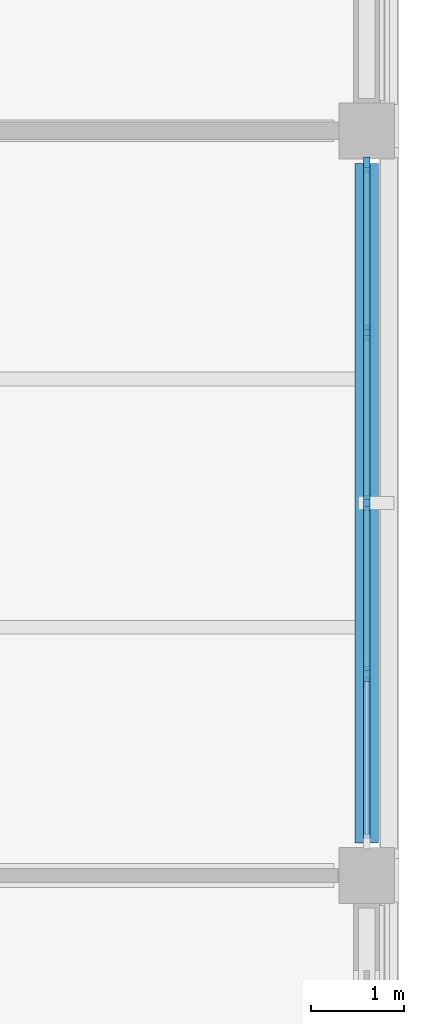
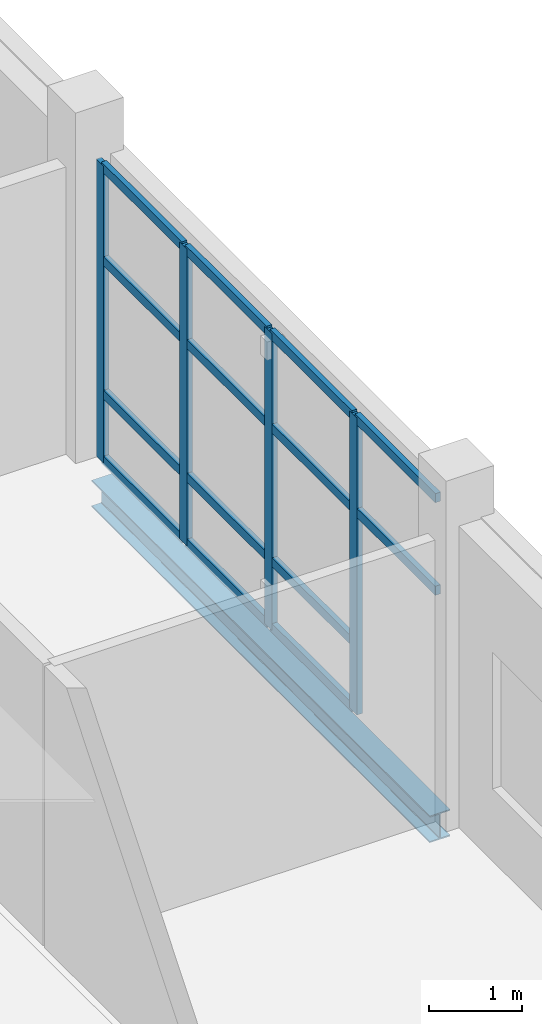
# One storey, part 52 of 121: 18 members, 1 beam, 1 element without a shape of its own.
"""IFC4 building model written with IfcOpenShell, lengths in metres."""

from ifc_helpers import new_model, si_unit, derived_unit, direction, frame, origin, origin_2d, place, context, subcontext, project, spatial, rectangle, i_section, extrude, material, layer, layer_set, material_profile, profile_set, type_object, element, aggregate, save


model = new_model("IFC4")

# Units and contexts
model_context = context("Model", 3, precision=1e-05, world=origin(), true_north=direction((0.0, 1.0)))
body_context = subcontext(model_context, "Body", "Model", "MODEL_VIEW")
ifc_project = project(units=[si_unit("LENGTHUNIT", "METRE"), si_unit("AREAUNIT", "SQUARE_METRE"), si_unit("VOLUMEUNIT", "CUBIC_METRE"), si_unit("PLANEANGLEUNIT", "RADIAN"), si_unit("MASSUNIT", "GRAM", prefix="KILO"), derived_unit("THERMALTRANSMITTANCEUNIT", [(si_unit("MASSUNIT", "GRAM", prefix="KILO"), 1), (si_unit("TIMEUNIT", "SECOND"), -3), (si_unit("THERMODYNAMICTEMPERATUREUNIT", "KELVIN"), -1)])], contexts=[model_context])

# Site, building, storey
site_placement = place(None, origin())
site = spatial("IfcSite", under=ifc_project, at=site_placement, CompositionType="ELEMENT")
building_placement = place(site_placement, origin())
building = spatial("IfcBuilding", under=site, at=building_placement, Name="Veyamyaing Civic Hall", CompositionType="ELEMENT")
storey_placement = place(building_placement, frame((0.0, 0.0, 5.280029296875)))
storey = spatial("IfcBuildingStorey", under=building, at=storey_placement, Name="L01", CompositionType="ELEMENT", Elevation=5.280029296875)

# Beam
ifc_material_1 = material(Name="Steel ASTM A992", Category="steel")
ifc_material_profile_1 = material_profile(ifc_material_1, i_section(OverallWidth=0.25390625, OverallDepth=0.35302734375, WebThickness=0.009521484375, FlangeThickness=0.016357421875, FilletRadius=0.011962890625, at=origin_2d()), Name="W360X91")
ifc_profile_set_1 = profile_set([ifc_material_profile_1], Name="Steel ASTM A992")
beam_type = type_object("IfcBeamType", Name="B-20", PredefinedType="SPANDREL", material=ifc_profile_set_1)
beam_placement = place(storey_placement, frame((176.0, 56.35009765625, -0.421630859375), z_axis=(0.0, 1.0, 0.0), x_axis=(-1.0, 0.0, 0.0)))
element("IfcBeam", 1, at=beam_placement, inside=storey, type_object=beam_type, Name="Girder B-20 L01 Grid 23 H-J", PredefinedType="SPANDREL", context=body_context, shape_type="SweptSolid", body=[
    extrude(i_section(OverallWidth=0.25390625, OverallDepth=0.35302734375, WebThickness=0.009521484375, FlangeThickness=0.016357421875, FilletRadius=0.011962890625, at=origin_2d()), origin(), (0.0, 0.0, 1.0), 7.2998046875),
])

# Curtain wall, members
ifc_material_2 = material(Name="Anodised aluminium 6063-T6", Category="aluminium")
ifc_layer = layer(ifc_material_2, 0.159912109375, Name="Anodised aluminium 6063-T6")
ifc_layer_set = layer_set([ifc_layer], Name="Anodised aluminium 6063-T6")
curtain_wall_type = type_object("IfcCurtainWallType", Name="CW-02", PredefinedType="NOTDEFINED", material=ifc_layer_set)
curtain_wall_placement = place(storey_placement, origin())
curtain_wall = element("IfcCurtainWall", 2, at=curtain_wall_placement, inside=storey, type_object=curtain_wall_type, Name="Unitized curtain wall CW-02 L01 E 22.8", PredefinedType="NOTDEFINED")
ifc_material_profile_2 = material_profile(ifc_material_2, rectangle(XDim=0.06494140625, YDim=0.159912109375, at=origin_2d()), Name="ALU-MUL-65X160")
ifc_profile_set_2 = profile_set([ifc_material_profile_2], Name="Anodised aluminium 6063-T6")
member_type_1 = type_object("IfcMemberType", Name="CWM-01", PredefinedType="MULLION", material=ifc_profile_set_2)
member_1_placement = place(storey_placement, frame((176.0, 58.1650390625, 0.0), z_axis=(0.0, 0.0, 1.0), x_axis=(-1.0, 0.0, 0.0)))
member_1 = element("IfcMember", 3, at=member_1_placement, type_object=member_type_1, Name="CW-02 mullion 2", PredefinedType="MULLION", context=body_context, shape_type="SweptSolid", body=[
    extrude(rectangle(XDim=0.06494140625, YDim=0.159912109375, at=origin_2d()), origin(), (0.0, 0.0, 1.0), 3.9140625),
])
member_2_placement = place(storey_placement, frame((176.0, 60.0, 0.0), z_axis=(0.0, 0.0, 1.0), x_axis=(-1.0, 0.0, 0.0)))
member_2 = element("IfcMember", 4, at=member_2_placement, type_object=member_type_1, Name="CW-02 mullion 3", PredefinedType="MULLION", context=body_context, shape_type="SweptSolid", body=[
    extrude(rectangle(XDim=0.06494140625, YDim=0.159912109375, at=origin_2d()), origin(), (0.0, 0.0, 1.0), 3.9140625),
])
member_3_placement = place(storey_placement, frame((176.0, 61.8349609375, 0.0), z_axis=(0.0, 0.0, 1.0), x_axis=(-1.0, 0.0, 0.0)))
member_3 = element("IfcMember", 5, at=member_3_placement, type_object=member_type_1, Name="CW-02 mullion 4", PredefinedType="MULLION", context=body_context, shape_type="SweptSolid", body=[
    extrude(rectangle(XDim=0.06494140625, YDim=0.159912109375, at=origin_2d()), origin(), (0.0, 0.0, 1.0), 3.9140625),
])
member_4_placement = place(storey_placement, frame((176.0, 63.637451171875, 0.0), z_axis=(0.0, 0.0, 1.0), x_axis=(-1.0, 0.0, 0.0)))
member_4 = element("IfcMember", 6, at=member_4_placement, type_object=member_type_1, Name="CW-02 mullion 5", PredefinedType="MULLION", context=body_context, shape_type="SweptSolid", body=[
    extrude(rectangle(XDim=0.06494140625, YDim=0.159912109375, at=origin_2d()), origin(), (0.0, 0.0, 1.0), 3.9140625),
])
ifc_material_profile_3 = material_profile(ifc_material_2, rectangle(XDim=0.06494140625, YDim=0.1201171875, at=origin_2d()), Name="ALU-TRN-65X120")
ifc_profile_set_3 = profile_set([ifc_material_profile_3], Name="Anodised aluminium 6063-T6")
member_type_2 = type_object("IfcMemberType", Name="CWT-01", PredefinedType="USERDEFINED", material=ifc_profile_set_3)
member_5_placement = place(storey_placement, frame((176.0, 56.39501953125, 2.661376953125), z_axis=(0.0, 1.0, 0.0), x_axis=(-1.0, 0.0, 0.0)))
member_5 = element("IfcMember", 7, at=member_5_placement, type_object=member_type_2, Name="CW-02 transom 1.3", ObjectType="TRANSOM", PredefinedType="USERDEFINED", context=body_context, shape_type="SweptSolid", body=[
    extrude(rectangle(XDim=0.06494140625, YDim=0.1201171875, at=origin_2d()), origin(), (0.0, 0.0, 1.0), 1.737548828125),
])
member_6_placement = place(storey_placement, frame((176.0, 56.39501953125, 3.881591796875), z_axis=(0.0, 1.0, 0.0), x_axis=(-1.0, 0.0, 0.0)))
member_6 = element("IfcMember", 8, at=member_6_placement, type_object=member_type_2, Name="CW-02 transom 1.4", ObjectType="TRANSOM", PredefinedType="USERDEFINED", context=body_context, shape_type="SweptSolid", body=[
    extrude(rectangle(XDim=0.06494140625, YDim=0.1201171875, at=origin_2d()), origin(), (0.0, 0.0, 1.0), 1.737548828125),
])
member_7_placement = place(storey_placement, frame((176.0, 58.197509765625, 0.032470703125), z_axis=(0.0, 1.0, 0.0), x_axis=(-1.0, 0.0, 0.0)))
member_7 = element("IfcMember", 9, at=member_7_placement, type_object=member_type_2, Name="CW-02 transom 2.1", ObjectType="TRANSOM", PredefinedType="USERDEFINED", context=body_context, shape_type="SweptSolid", body=[
    extrude(rectangle(XDim=0.06494140625, YDim=0.1201171875, at=origin_2d()), origin(), (0.0, 0.0, 1.0), 1.77001953125),
])
member_8_placement = place(storey_placement, frame((176.0, 58.197509765625, 0.89990234375), z_axis=(0.0, 1.0, 0.0), x_axis=(-1.0, 0.0, 0.0)))
member_8 = element("IfcMember", 10, at=member_8_placement, type_object=member_type_2, Name="CW-02 transom 2.2", ObjectType="TRANSOM", PredefinedType="USERDEFINED", context=body_context, shape_type="SweptSolid", body=[
    extrude(rectangle(XDim=0.06494140625, YDim=0.1201171875, at=origin_2d()), origin(), (0.0, 0.0, 1.0), 1.77001953125),
])
member_9_placement = place(storey_placement, frame((176.0, 58.197509765625, 2.661376953125), z_axis=(0.0, 1.0, 0.0), x_axis=(-1.0, 0.0, 0.0)))
member_9 = element("IfcMember", 11, at=member_9_placement, type_object=member_type_2, Name="CW-02 transom 2.3", ObjectType="TRANSOM", PredefinedType="USERDEFINED", context=body_context, shape_type="SweptSolid", body=[
    extrude(rectangle(XDim=0.06494140625, YDim=0.1201171875, at=origin_2d()), origin(), (0.0, 0.0, 1.0), 1.77001953125),
])
member_10_placement = place(storey_placement, frame((176.0, 58.197509765625, 3.881591796875), z_axis=(0.0, 1.0, 0.0), x_axis=(-1.0, 0.0, 0.0)))
member_10 = element("IfcMember", 12, at=member_10_placement, type_object=member_type_2, Name="CW-02 transom 2.4", ObjectType="TRANSOM", PredefinedType="USERDEFINED", context=body_context, shape_type="SweptSolid", body=[
    extrude(rectangle(XDim=0.06494140625, YDim=0.1201171875, at=origin_2d()), origin(), (0.0, 0.0, 1.0), 1.77001953125),
])
member_11_placement = place(storey_placement, frame((176.0, 60.032470703125, 0.032470703125), z_axis=(0.0, 1.0, 0.0), x_axis=(-1.0, 0.0, 0.0)))
member_11 = element("IfcMember", 13, at=member_11_placement, type_object=member_type_2, Name="CW-02 transom 3.1", ObjectType="TRANSOM", PredefinedType="USERDEFINED", context=body_context, shape_type="SweptSolid", body=[
    extrude(rectangle(XDim=0.06494140625, YDim=0.1201171875, at=origin_2d()), origin(), (0.0, 0.0, 1.0), 1.77001953125),
])
member_12_placement = place(storey_placement, frame((176.0, 60.032470703125, 0.89990234375), z_axis=(0.0, 1.0, 0.0), x_axis=(-1.0, 0.0, 0.0)))
member_12 = element("IfcMember", 14, at=member_12_placement, type_object=member_type_2, Name="CW-02 transom 3.2", ObjectType="TRANSOM", PredefinedType="USERDEFINED", context=body_context, shape_type="SweptSolid", body=[
    extrude(rectangle(XDim=0.06494140625, YDim=0.1201171875, at=origin_2d()), origin(), (0.0, 0.0, 1.0), 1.77001953125),
])
member_13_placement = place(storey_placement, frame((176.0, 60.032470703125, 2.661376953125), z_axis=(0.0, 1.0, 0.0), x_axis=(-1.0, 0.0, 0.0)))
member_13 = element("IfcMember", 15, at=member_13_placement, type_object=member_type_2, Name="CW-02 transom 3.3", ObjectType="TRANSOM", PredefinedType="USERDEFINED", context=body_context, shape_type="SweptSolid", body=[
    extrude(rectangle(XDim=0.06494140625, YDim=0.1201171875, at=origin_2d()), origin(), (0.0, 0.0, 1.0), 1.77001953125),
])
member_14_placement = place(storey_placement, frame((176.0, 60.032470703125, 3.881591796875), z_axis=(0.0, 1.0, 0.0), x_axis=(-1.0, 0.0, 0.0)))
member_14 = element("IfcMember", 16, at=member_14_placement, type_object=member_type_2, Name="CW-02 transom 3.4", ObjectType="TRANSOM", PredefinedType="USERDEFINED", context=body_context, shape_type="SweptSolid", body=[
    extrude(rectangle(XDim=0.06494140625, YDim=0.1201171875, at=origin_2d()), origin(), (0.0, 0.0, 1.0), 1.77001953125),
])
member_15_placement = place(storey_placement, frame((176.0, 61.867431640625, 0.032470703125), z_axis=(0.0, 1.0, 0.0), x_axis=(-1.0, 0.0, 0.0)))
member_15 = element("IfcMember", 17, at=member_15_placement, type_object=member_type_2, Name="CW-02 transom 4.1", ObjectType="TRANSOM", PredefinedType="USERDEFINED", context=body_context, shape_type="SweptSolid", body=[
    extrude(rectangle(XDim=0.06494140625, YDim=0.1201171875, at=origin_2d()), origin(), (0.0, 0.0, 1.0), 1.737548828125),
])
member_16_placement = place(storey_placement, frame((176.0, 61.867431640625, 0.89990234375), z_axis=(0.0, 1.0, 0.0), x_axis=(-1.0, 0.0, 0.0)))
member_16 = element("IfcMember", 18, at=member_16_placement, type_object=member_type_2, Name="CW-02 transom 4.2", ObjectType="TRANSOM", PredefinedType="USERDEFINED", context=body_context, shape_type="SweptSolid", body=[
    extrude(rectangle(XDim=0.06494140625, YDim=0.1201171875, at=origin_2d()), origin(), (0.0, 0.0, 1.0), 1.737548828125),
])
member_17_placement = place(storey_placement, frame((176.0, 61.867431640625, 2.661376953125), z_axis=(0.0, 1.0, 0.0), x_axis=(-1.0, 0.0, 0.0)))
member_17 = element("IfcMember", 19, at=member_17_placement, type_object=member_type_2, Name="CW-02 transom 4.3", ObjectType="TRANSOM", PredefinedType="USERDEFINED", context=body_context, shape_type="SweptSolid", body=[
    extrude(rectangle(XDim=0.06494140625, YDim=0.1201171875, at=origin_2d()), origin(), (0.0, 0.0, 1.0), 1.737548828125),
])
member_18_placement = place(storey_placement, frame((176.0, 61.867431640625, 3.881591796875), z_axis=(0.0, 1.0, 0.0), x_axis=(-1.0, 0.0, 0.0)))
member_18 = element("IfcMember", 20, at=member_18_placement, type_object=member_type_2, Name="CW-02 transom 4.4", ObjectType="TRANSOM", PredefinedType="USERDEFINED", context=body_context, shape_type="SweptSolid", body=[
    extrude(rectangle(XDim=0.06494140625, YDim=0.1201171875, at=origin_2d()), origin(), (0.0, 0.0, 1.0), 1.737548828125),
])
aggregate(curtain_wall, [member_1, member_2, member_3, member_4, member_5, member_6, member_7, member_8, member_9, member_10, member_11, member_12, member_13, member_14, member_15, member_16, member_17, member_18])

save(model, "model.ifc")
